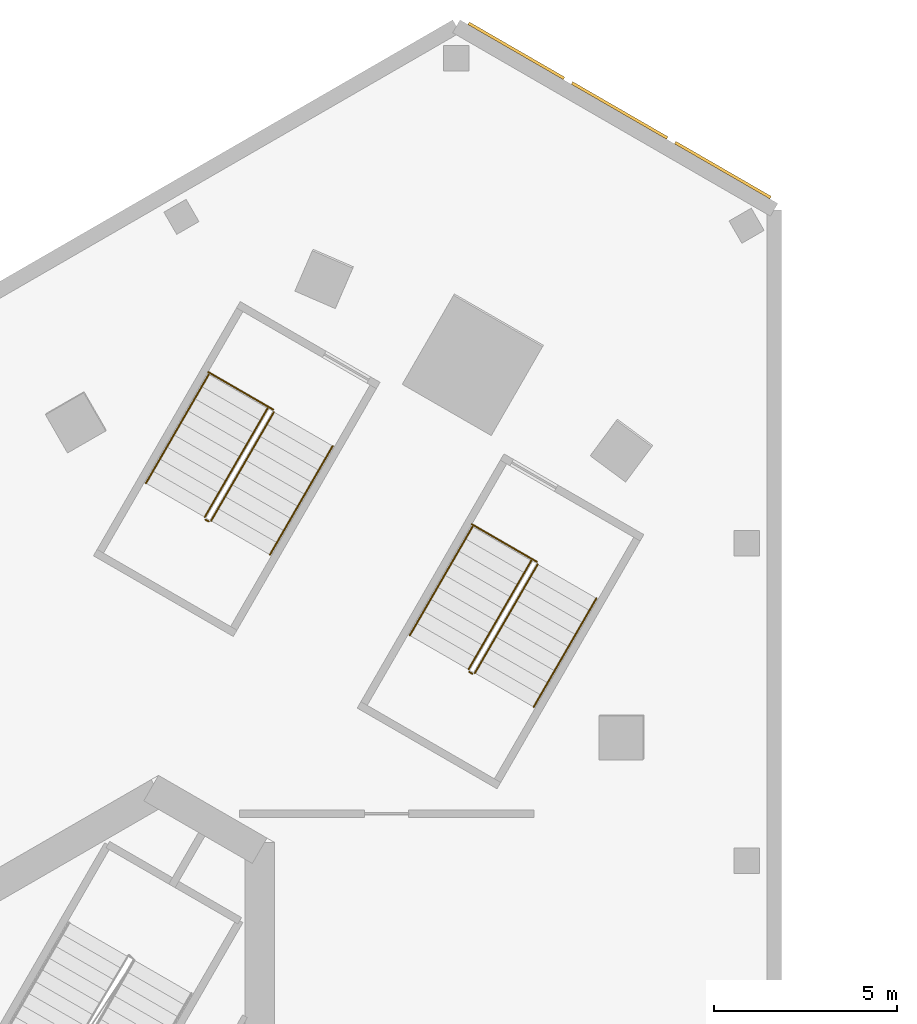
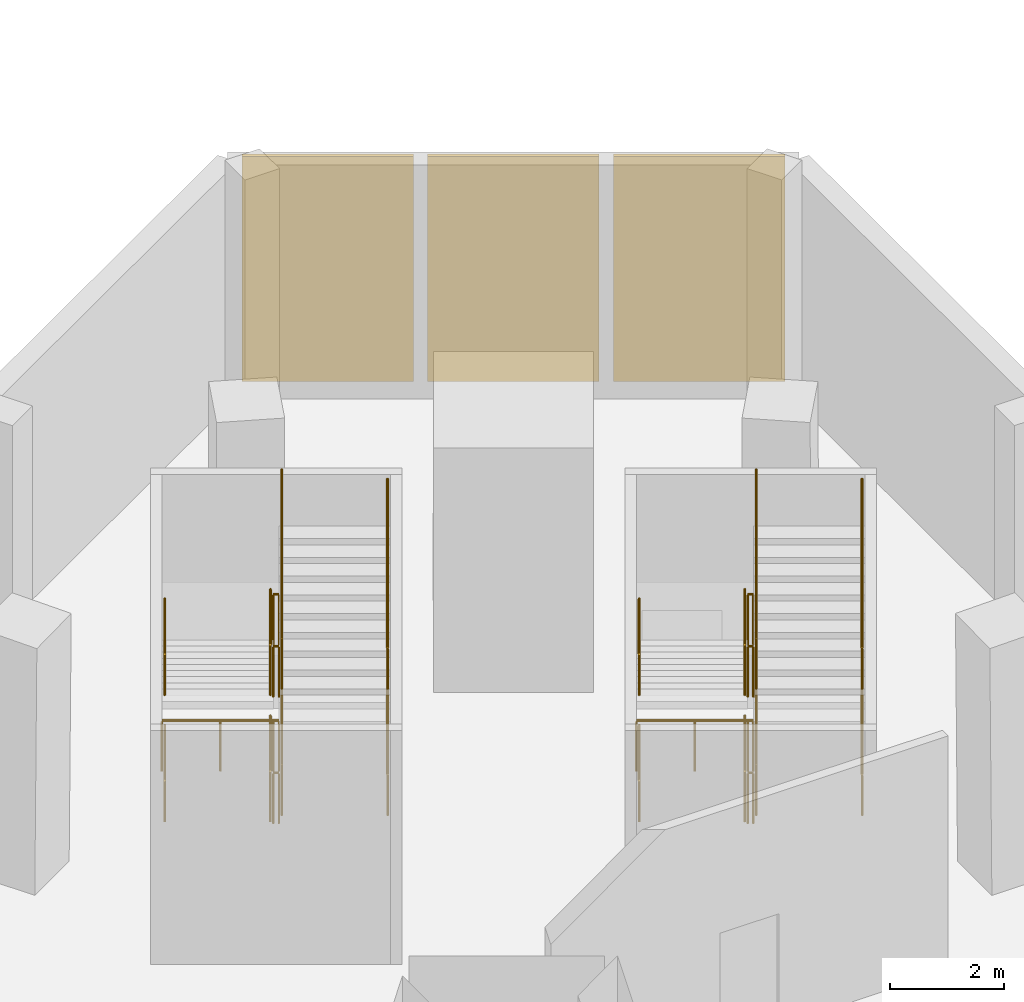
# One storey, part 25 of 35: 26 railings, 3 coverings.
"""IFC4 building model written with IfcOpenShell, lengths in metres."""

from ifc_helpers import new_model, si_unit, direction, frame, origin, origin_2d, place, context, subcontext, project, spatial, rectangle, circle, extrude, material, layer, layer_set, type_object, element, save


model = new_model("IFC4")

# Units and contexts
model_context = context("Model", 3, precision=1e-05, world=origin(), true_north=direction((0.0, 1.0)))
body_context = subcontext(model_context, "Body", "Model", "MODEL_VIEW")
ifc_project = project(units=[si_unit("LENGTHUNIT", "METRE"), si_unit("AREAUNIT", "SQUARE_METRE"), si_unit("VOLUMEUNIT", "CUBIC_METRE"), si_unit("PLANEANGLEUNIT", "RADIAN"), si_unit("MASSUNIT", "GRAM", prefix="KILO")], contexts=[model_context])

# Site, building, storey
site_placement = place(None, origin())
site = spatial("IfcSite", under=ifc_project, at=site_placement, CompositionType="ELEMENT")
building_placement = place(site_placement, origin())
building = spatial("IfcBuilding", under=site, at=building_placement, Name="Jabali Bay Hotel Tower and Convention Centre", CompositionType="ELEMENT")
storey_placement = place(building_placement, frame((0.0, 0.0, 15.0)))
storey = spatial("IfcBuildingStorey", under=building, at=storey_placement, Name="L02", CompositionType="ELEMENT", Elevation=15.0)

# Coverings
ifc_material_1 = material(Name="Precast concrete C40/50", Category="concrete")
ifc_layer = layer(ifc_material_1, 0.080078125)
ifc_layer_set = layer_set([ifc_layer], Name="Precast concrete C40/50")
covering_type = type_object("IfcCoveringType", Name="Relief panel 3000 x 4800", PredefinedType="CLADDING", material=ifc_layer_set)
for number, where, z_axis, x_axis, name in (
    (1, (96.475341796875, 123.6962890625, 0.10009765625), (0.0, 0.0, 1.0), (0.866025402842, -0.500000001632, 0.0), "Relief panel L02"),
    (2, (99.289794921875, 122.0712890625, 0.10009765625), (0.0, 0.0, 1.0), (0.866025402842, -0.500000001632, 0.0), "Relief panel L02"),
    (3, (102.1044921875, 120.4462890625, 0.10009765625), (0.0, 0.0, 1.0), (0.866025402842, -0.500000001632, 0.0), "Relief panel L02"),
):
    element("IfcCovering", number, at=place(storey_placement, frame(where, z_axis=z_axis, x_axis=x_axis)), inside=storey, type_object=covering_type, Name=name, PredefinedType="CLADDING", context=body_context, shape_type="SweptSolid", body=[
        extrude(rectangle(XDim=3.0, YDim=0.080078125, at=origin_2d()), origin(), (0.0, 0.0, 1.0), 4.800048828125),
    ])

# Railings
ifc_material_2 = material(Name="Steel Q355B", Category="steel")
railing_type_1 = type_object("IfcRailingType", Name="Stair guard 1100", PredefinedType="GUARDRAIL", material=ifc_material_2)
railing_1_placement = place(storey_placement, frame((88.073974609375, 114.94482421875, 0.0)))
element("IfcRailing", 4, at=railing_1_placement, inside=storey, type_object=railing_type_1, Name="L02 PS3 top well guard 1", PredefinedType="GUARDRAIL", context=body_context, shape_type="SweptSolid", body=[
    extrude(circle(Radius=0.02392578125, at=origin_2d()), frame((0.0, 0.0, 1.076171875), z_axis=(0.865999163574, -0.500045446624, 0.0), x_axis=(0.500045446624, 0.865999163574, 0.0)), (0.0, 0.0, 1.0), 2.050048828125),
    extrude(circle(Radius=0.02099609375, at=origin_2d()), origin(), (0.0, 0.0, 1.0), 1.052001953125),
    extrude(circle(Radius=0.02099609375, at=origin_2d()), frame((0.8876953125, -0.5126953125, 0.0)), (0.0, 0.0, 1.0), 1.052001953125),
    extrude(circle(Radius=0.02099609375, at=origin_2d()), frame((1.775390625, -1.025146484375, 0.0)), (0.0, 0.0, 1.0), 1.052001953125),
])
railing_2_placement = place(storey_placement, frame((89.6943359375, 113.951416015625, 0.135009765625)))
element("IfcRailing", 5, at=railing_2_placement, inside=storey, type_object=railing_type_1, Name="L02 PS3 stair guard 1", PredefinedType="GUARDRAIL", context=body_context, shape_type="SweptSolid", body=[
    extrude(circle(Radius=0.02392578125, at=origin_2d()), frame((0.0, 0.0, 1.076171875), z_axis=(-0.471153129976, -0.816042064498, 0.334798561949), x_axis=(0.866020337685, -0.500008774639, 0.0)), (0.0, 0.0, 1.0), 3.62939453125),
    extrude(circle(Radius=0.02099609375, at=origin_2d()), origin(), (0.0, 0.0, 1.0), 1.052001953125),
    extrude(circle(Radius=0.02099609375, at=origin_2d()), frame((-0.427490234375, -0.740478515625, 0.3037109375)), (0.0, 0.0, 1.0), 1.052001953125),
    extrude(circle(Radius=0.02099609375, at=origin_2d()), frame((-0.85498046875, -1.48095703125, 0.607421875)), (0.0, 0.0, 1.0), 1.052001953125),
    extrude(circle(Radius=0.02099609375, at=origin_2d()), frame((-1.282470703125, -2.22119140625, 0.911376953125)), (0.0, 0.0, 1.0), 1.052001953125),
    extrude(circle(Radius=0.02099609375, at=origin_2d()), frame((-1.7099609375, -2.961669921875, 1.215087890625)), (0.0, 0.0, 1.0), 1.052001953125),
])
railing_3_placement = place(storey_placement, frame((88.002685546875, 110.92138671875, 1.35009765625)))
element("IfcRailing", 6, at=railing_3_placement, inside=storey, type_object=railing_type_1, Name="L02 PS3 stair guard 2", PredefinedType="GUARDRAIL", context=body_context, shape_type="SweptSolid", body=[
    extrude(circle(Radius=0.02392578125, at=origin_2d()), frame((0.0, 0.0, 1.076171875), z_axis=(0.865982457891, -0.500074377092, 0.0), x_axis=(0.500074377092, 0.865982457891, 0.0)), (0.0, 0.0, 1.0), 0.10009765625),
    extrude(circle(Radius=0.02099609375, at=origin_2d()), origin(), (0.0, 0.0, 1.0), 1.052001953125),
    extrude(circle(Radius=0.02099609375, at=origin_2d()), frame((0.086669921875, -0.050048828125, 0.0)), (0.0, 0.0, 1.0), 1.052001953125),
])
railing_4_placement = place(storey_placement, frame((88.15771484375, 110.8896484375, 1.485107421875)))
element("IfcRailing", 7, at=railing_4_placement, inside=storey, type_object=railing_type_1, Name="L02 PS3 stair guard 3", PredefinedType="GUARDRAIL", context=body_context, shape_type="SweptSolid", body=[
    extrude(circle(Radius=0.02392578125, at=origin_2d()), frame((0.0, 0.0, 1.076171875), z_axis=(0.471163740398, 0.816060441857, 0.334738830985), x_axis=(-0.866020337685, 0.500008774639, 0.0)), (0.0, 0.0, 1.0), 3.629150390625),
    extrude(circle(Radius=0.02099609375, at=origin_2d()), origin(), (0.0, 0.0, 1.0), 1.052001953125),
    extrude(circle(Radius=0.02099609375, at=origin_2d()), frame((0.427490234375, 0.740478515625, 0.3037109375)), (0.0, 0.0, 1.0), 1.052001953125),
    extrude(circle(Radius=0.02099609375, at=origin_2d()), frame((0.85498046875, 1.48095703125, 0.607421875)), (0.0, 0.0, 1.0), 1.052001953125),
    extrude(circle(Radius=0.02099609375, at=origin_2d()), frame((1.282470703125, 2.22119140625, 0.9111328125)), (0.0, 0.0, 1.0), 1.052001953125),
    extrude(circle(Radius=0.02099609375, at=origin_2d()), frame((1.7099609375, 2.961669921875, 1.21484375)), (0.0, 0.0, 1.0), 1.052001953125),
])
railing_5_placement = place(storey_placement, frame((89.7626953125, 113.9697265625, 2.699951171875)))
element("IfcRailing", 8, at=railing_5_placement, inside=storey, type_object=railing_type_1, Name="L02 PS3 stair guard 4", PredefinedType="GUARDRAIL", context=body_context, shape_type="SweptSolid", body=[
    extrude(circle(Radius=0.02392578125, at=origin_2d()), frame((0.0, 0.0, 1.076171875), z_axis=(0.865982457891, -0.500074377092, 0.0), x_axis=(0.500074377092, 0.865982457891, 0.0)), (0.0, 0.0, 1.0), 0.10009765625),
    extrude(circle(Radius=0.02099609375, at=origin_2d()), origin(), (0.0, 0.0, 1.0), 1.052001953125),
    extrude(circle(Radius=0.02099609375, at=origin_2d()), frame((0.086669921875, -0.050048828125, 0.0)), (0.0, 0.0, 1.0), 1.052001953125),
])
railing_6_placement = place(storey_placement, frame((89.6943359375, 113.951416015625, 2.8349609375)))
element("IfcRailing", 9, at=railing_6_placement, inside=storey, type_object=railing_type_1, Name="L02 PS3 stair guard 5", PredefinedType="GUARDRAIL", context=body_context, shape_type="SweptSolid", body=[
    extrude(circle(Radius=0.02392578125, at=origin_2d()), frame((0.0, 0.0, 1.076171875), z_axis=(-0.471153129976, -0.816042064498, 0.334798561949), x_axis=(0.866020337685, -0.500008774639, 0.0)), (0.0, 0.0, 1.0), 3.62939453125),
    extrude(circle(Radius=0.02099609375, at=origin_2d()), origin(), (0.0, 0.0, 1.0), 1.052001953125),
    extrude(circle(Radius=0.02099609375, at=origin_2d()), frame((-0.427490234375, -0.740478515625, 0.3037109375)), (0.0, 0.0, 1.0), 1.052001953125),
    extrude(circle(Radius=0.02099609375, at=origin_2d()), frame((-0.85498046875, -1.48095703125, 0.607421875)), (0.0, 0.0, 1.0), 1.052001953125),
    extrude(circle(Radius=0.02099609375, at=origin_2d()), frame((-1.282470703125, -2.22119140625, 0.911376953125)), (0.0, 0.0, 1.0), 1.052001953125),
    extrude(circle(Radius=0.02099609375, at=origin_2d()), frame((-1.7099609375, -2.961669921875, 1.215087890625)), (0.0, 0.0, 1.0), 1.052001953125),
])
railing_7_placement = place(storey_placement, frame((88.002685546875, 110.92138671875, 4.050048828125)))
element("IfcRailing", 10, at=railing_7_placement, inside=storey, type_object=railing_type_1, Name="L02 PS3 stair guard 6", PredefinedType="GUARDRAIL", context=body_context, shape_type="SweptSolid", body=[
    extrude(circle(Radius=0.02392578125, at=origin_2d()), frame((0.0, 0.0, 1.076171875), z_axis=(0.865982457891, -0.500074377092, 0.0), x_axis=(0.500074377092, 0.865982457891, 0.0)), (0.0, 0.0, 1.0), 0.10009765625),
    extrude(circle(Radius=0.02099609375, at=origin_2d()), origin(), (0.0, 0.0, 1.0), 1.052001953125),
    extrude(circle(Radius=0.02099609375, at=origin_2d()), frame((0.086669921875, -0.050048828125, 0.0)), (0.0, 0.0, 1.0), 1.052001953125),
])
railing_8_placement = place(storey_placement, frame((88.15771484375, 110.8896484375, 4.18505859375)))
element("IfcRailing", 11, at=railing_8_placement, inside=storey, type_object=railing_type_1, Name="L02 PS3 stair guard 7", PredefinedType="GUARDRAIL", context=body_context, shape_type="SweptSolid", body=[
    extrude(circle(Radius=0.02392578125, at=origin_2d()), frame((0.0, 0.0, 1.076171875), z_axis=(0.471163740398, 0.816060441857, 0.334738830985), x_axis=(-0.866020337685, 0.500008774639, 0.0)), (0.0, 0.0, 1.0), 3.629150390625),
    extrude(circle(Radius=0.02099609375, at=origin_2d()), origin(), (0.0, 0.0, 1.0), 1.052001953125),
    extrude(circle(Radius=0.02099609375, at=origin_2d()), frame((0.427490234375, 0.740478515625, 0.3037109375)), (0.0, 0.0, 1.0), 1.052001953125),
    extrude(circle(Radius=0.02099609375, at=origin_2d()), frame((0.85498046875, 1.48095703125, 0.607421875)), (0.0, 0.0, 1.0), 1.052001953125),
    extrude(circle(Radius=0.02099609375, at=origin_2d()), frame((1.282470703125, 2.22119140625, 0.9111328125)), (0.0, 0.0, 1.0), 1.052001953125),
    extrude(circle(Radius=0.02099609375, at=origin_2d()), frame((1.7099609375, 2.961669921875, 1.21484375)), (0.0, 0.0, 1.0), 1.052001953125),
])
railing_9_placement = place(storey_placement, frame((89.7626953125, 113.9697265625, 0.0)))
element("IfcRailing", 12, at=railing_9_placement, inside=storey, type_object=railing_type_1, Name="L02 PS3 stair guard 8", PredefinedType="GUARDRAIL", context=body_context, shape_type="SweptSolid", body=[
    extrude(circle(Radius=0.02392578125, at=origin_2d()), frame((0.0, 0.0, 1.076171875), z_axis=(0.865982457891, -0.500074377092, 0.0), x_axis=(0.500074377092, 0.865982457891, 0.0)), (0.0, 0.0, 1.0), 0.10009765625),
    extrude(circle(Radius=0.02099609375, at=origin_2d()), origin(), (0.0, 0.0, 1.0), 1.052001953125),
    extrude(circle(Radius=0.02099609375, at=origin_2d()), frame((0.086669921875, -0.050048828125, 0.0)), (0.0, 0.0, 1.0), 1.052001953125),
])
railing_10_placement = place(storey_placement, frame((95.261962890625, 110.794677734375, 0.0)))
element("IfcRailing", 13, at=railing_10_placement, inside=storey, type_object=railing_type_1, Name="L02 PS4 top well guard 1", PredefinedType="GUARDRAIL", context=body_context, shape_type="SweptSolid", body=[
    extrude(circle(Radius=0.02392578125, at=origin_2d()), frame((0.0, 0.0, 1.076171875), z_axis=(0.866050731258, -0.499956128963, 0.0), x_axis=(0.499956128963, 0.866050731258, 0.0)), (0.0, 0.0, 1.0), 2.050048828125),
    extrude(circle(Radius=0.02099609375, at=origin_2d()), origin(), (0.0, 0.0, 1.0), 1.052001953125),
    extrude(circle(Radius=0.02099609375, at=origin_2d()), frame((0.8876953125, -0.512451171875, 0.0)), (0.0, 0.0, 1.0), 1.052001953125),
    extrude(circle(Radius=0.02099609375, at=origin_2d()), frame((1.775390625, -1.02490234375, 0.0)), (0.0, 0.0, 1.0), 1.052001953125),
])
railing_11_placement = place(storey_placement, frame((96.88232421875, 109.801513671875, 0.135009765625)))
element("IfcRailing", 14, at=railing_11_placement, inside=storey, type_object=railing_type_1, Name="L02 PS4 stair guard 1", PredefinedType="GUARDRAIL", context=body_context, shape_type="SweptSolid", body=[
    extrude(circle(Radius=0.02392578125, at=origin_2d()), frame((0.0, 0.0, 1.076171875), z_axis=(-0.471127267345, -0.816064535613, 0.33478018412), x_axis=(0.866038183914, -0.499977863513, 0.0)), (0.0, 0.0, 1.0), 3.62939453125),
    extrude(circle(Radius=0.02099609375, at=origin_2d()), origin(), (0.0, 0.0, 1.0), 1.052001953125),
    extrude(circle(Radius=0.02099609375, at=origin_2d()), frame((-0.427490234375, -0.740478515625, 0.3037109375)), (0.0, 0.0, 1.0), 1.052001953125),
    extrude(circle(Radius=0.02099609375, at=origin_2d()), frame((-0.85498046875, -1.48095703125, 0.607421875)), (0.0, 0.0, 1.0), 1.052001953125),
    extrude(circle(Radius=0.02099609375, at=origin_2d()), frame((-1.282470703125, -2.221435546875, 0.911376953125)), (0.0, 0.0, 1.0), 1.052001953125),
    extrude(circle(Radius=0.02099609375, at=origin_2d()), frame((-1.7099609375, -2.9619140625, 1.215087890625)), (0.0, 0.0, 1.0), 1.052001953125),
])
railing_12_placement = place(storey_placement, frame((95.190673828125, 106.771240234375, 1.35009765625)))
element("IfcRailing", 15, at=railing_12_placement, inside=storey, type_object=railing_type_1, Name="L02 PS4 stair guard 2", PredefinedType="GUARDRAIL", context=body_context, shape_type="SweptSolid", body=[
    extrude(circle(Radius=0.02392578125, at=origin_2d()), frame((0.0, 0.0, 1.076171875), z_axis=(0.867038199201, -0.4982416694, 0.0), x_axis=(0.4982416694, 0.867038199201, 0.0)), (0.0, 0.0, 1.0), 0.099853515625),
    extrude(circle(Radius=0.02099609375, at=origin_2d()), origin(), (0.0, 0.0, 1.0), 1.052001953125),
    extrude(circle(Radius=0.02099609375, at=origin_2d()), frame((0.086669921875, -0.0498046875, 0.0)), (0.0, 0.0, 1.0), 1.052001953125),
])
railing_13_placement = place(storey_placement, frame((95.345703125, 106.73974609375, 1.485107421875)))
element("IfcRailing", 16, at=railing_13_placement, inside=storey, type_object=railing_type_1, Name="L02 PS4 stair guard 3", PredefinedType="GUARDRAIL", context=body_context, shape_type="SweptSolid", body=[
    extrude(circle(Radius=0.02392578125, at=origin_2d()), frame((0.0, 0.0, 1.076171875), z_axis=(0.471163740398, 0.816060441857, 0.334738830985), x_axis=(-0.866020337685, 0.500008774639, 0.0)), (0.0, 0.0, 1.0), 3.629150390625),
    extrude(circle(Radius=0.02099609375, at=origin_2d()), origin(), (0.0, 0.0, 1.0), 1.052001953125),
    extrude(circle(Radius=0.02099609375, at=origin_2d()), frame((0.427490234375, 0.740478515625, 0.3037109375)), (0.0, 0.0, 1.0), 1.052001953125),
    extrude(circle(Radius=0.02099609375, at=origin_2d()), frame((0.85498046875, 1.48095703125, 0.607421875)), (0.0, 0.0, 1.0), 1.052001953125),
    extrude(circle(Radius=0.02099609375, at=origin_2d()), frame((1.282470703125, 2.22119140625, 0.9111328125)), (0.0, 0.0, 1.0), 1.052001953125),
    extrude(circle(Radius=0.02099609375, at=origin_2d()), frame((1.7099609375, 2.961669921875, 1.21484375)), (0.0, 0.0, 1.0), 1.052001953125),
])
railing_14_placement = place(storey_placement, frame((96.95068359375, 109.81982421875, 2.699951171875)))
element("IfcRailing", 17, at=railing_14_placement, inside=storey, type_object=railing_type_1, Name="L02 PS4 stair guard 4", PredefinedType="GUARDRAIL", context=body_context, shape_type="SweptSolid", body=[
    extrude(circle(Radius=0.02392578125, at=origin_2d()), frame((0.0, 0.0, 1.076171875), z_axis=(0.865982457891, -0.500074377092, 0.0), x_axis=(0.500074377092, 0.865982457891, 0.0)), (0.0, 0.0, 1.0), 0.10009765625),
    extrude(circle(Radius=0.02099609375, at=origin_2d()), origin(), (0.0, 0.0, 1.0), 1.052001953125),
    extrude(circle(Radius=0.02099609375, at=origin_2d()), frame((0.086669921875, -0.050048828125, 0.0)), (0.0, 0.0, 1.0), 1.052001953125),
])
railing_15_placement = place(storey_placement, frame((96.88232421875, 109.801513671875, 2.8349609375)))
element("IfcRailing", 18, at=railing_15_placement, inside=storey, type_object=railing_type_1, Name="L02 PS4 stair guard 5", PredefinedType="GUARDRAIL", context=body_context, shape_type="SweptSolid", body=[
    extrude(circle(Radius=0.02392578125, at=origin_2d()), frame((0.0, 0.0, 1.076171875), z_axis=(-0.471127267345, -0.816064535613, 0.33478018412), x_axis=(0.866038183914, -0.499977863513, 0.0)), (0.0, 0.0, 1.0), 3.62939453125),
    extrude(circle(Radius=0.02099609375, at=origin_2d()), origin(), (0.0, 0.0, 1.0), 1.052001953125),
    extrude(circle(Radius=0.02099609375, at=origin_2d()), frame((-0.427490234375, -0.740478515625, 0.3037109375)), (0.0, 0.0, 1.0), 1.052001953125),
    extrude(circle(Radius=0.02099609375, at=origin_2d()), frame((-0.85498046875, -1.48095703125, 0.607421875)), (0.0, 0.0, 1.0), 1.052001953125),
    extrude(circle(Radius=0.02099609375, at=origin_2d()), frame((-1.282470703125, -2.221435546875, 0.911376953125)), (0.0, 0.0, 1.0), 1.052001953125),
    extrude(circle(Radius=0.02099609375, at=origin_2d()), frame((-1.7099609375, -2.9619140625, 1.215087890625)), (0.0, 0.0, 1.0), 1.052001953125),
])
railing_16_placement = place(storey_placement, frame((95.190673828125, 106.771240234375, 4.050048828125)))
element("IfcRailing", 19, at=railing_16_placement, inside=storey, type_object=railing_type_1, Name="L02 PS4 stair guard 6", PredefinedType="GUARDRAIL", context=body_context, shape_type="SweptSolid", body=[
    extrude(circle(Radius=0.02392578125, at=origin_2d()), frame((0.0, 0.0, 1.076171875), z_axis=(0.867038199201, -0.4982416694, 0.0), x_axis=(0.4982416694, 0.867038199201, 0.0)), (0.0, 0.0, 1.0), 0.099853515625),
    extrude(circle(Radius=0.02099609375, at=origin_2d()), origin(), (0.0, 0.0, 1.0), 1.052001953125),
    extrude(circle(Radius=0.02099609375, at=origin_2d()), frame((0.086669921875, -0.0498046875, 0.0)), (0.0, 0.0, 1.0), 1.052001953125),
])
railing_17_placement = place(storey_placement, frame((95.345703125, 106.73974609375, 4.18505859375)))
element("IfcRailing", 20, at=railing_17_placement, inside=storey, type_object=railing_type_1, Name="L02 PS4 stair guard 7", PredefinedType="GUARDRAIL", context=body_context, shape_type="SweptSolid", body=[
    extrude(circle(Radius=0.02392578125, at=origin_2d()), frame((0.0, 0.0, 1.076171875), z_axis=(0.471163740398, 0.816060441857, 0.334738830985), x_axis=(-0.866020337685, 0.500008774639, 0.0)), (0.0, 0.0, 1.0), 3.629150390625),
    extrude(circle(Radius=0.02099609375, at=origin_2d()), origin(), (0.0, 0.0, 1.0), 1.052001953125),
    extrude(circle(Radius=0.02099609375, at=origin_2d()), frame((0.427490234375, 0.740478515625, 0.3037109375)), (0.0, 0.0, 1.0), 1.052001953125),
    extrude(circle(Radius=0.02099609375, at=origin_2d()), frame((0.85498046875, 1.48095703125, 0.607421875)), (0.0, 0.0, 1.0), 1.052001953125),
    extrude(circle(Radius=0.02099609375, at=origin_2d()), frame((1.282470703125, 2.22119140625, 0.9111328125)), (0.0, 0.0, 1.0), 1.052001953125),
    extrude(circle(Radius=0.02099609375, at=origin_2d()), frame((1.7099609375, 2.961669921875, 1.21484375)), (0.0, 0.0, 1.0), 1.052001953125),
])
railing_18_placement = place(storey_placement, frame((96.95068359375, 109.81982421875, 0.0)))
element("IfcRailing", 21, at=railing_18_placement, inside=storey, type_object=railing_type_1, Name="L02 PS4 stair guard 8", PredefinedType="GUARDRAIL", context=body_context, shape_type="SweptSolid", body=[
    extrude(circle(Radius=0.02392578125, at=origin_2d()), frame((0.0, 0.0, 1.076171875), z_axis=(0.865982457891, -0.500074377092, 0.0), x_axis=(0.500074377092, 0.865982457891, 0.0)), (0.0, 0.0, 1.0), 0.10009765625),
    extrude(circle(Radius=0.02099609375, at=origin_2d()), origin(), (0.0, 0.0, 1.0), 1.052001953125),
    extrude(circle(Radius=0.02099609375, at=origin_2d()), frame((0.086669921875, -0.050048828125, 0.0)), (0.0, 0.0, 1.0), 1.052001953125),
])
railing_type_2 = type_object("IfcRailingType", Name="Stair handrail 900", PredefinedType="HANDRAIL", material=ifc_material_2)
railing_19_placement = place(storey_placement, frame((88.09228515625, 114.87646484375, 0.135009765625)))
element("IfcRailing", 22, at=railing_19_placement, inside=storey, type_object=railing_type_2, Name="L02 PS3 stair handrail 1", PredefinedType="HANDRAIL", context=body_context, shape_type="SweptSolid", body=[
    extrude(circle(Radius=0.02392578125, at=origin_2d()), frame((0.0, 0.0, 0.8759765625), z_axis=(-0.471127267345, -0.816064535613, 0.33478018412), x_axis=(0.866038183914, -0.499977863513, 0.0)), (0.0, 0.0, 1.0), 3.62939453125),
    extrude(circle(Radius=0.02099609375, at=origin_2d()), origin(), (0.0, 0.0, 1.0), 0.851806640625),
    extrude(circle(Radius=0.02099609375, at=origin_2d()), frame((-0.427490234375, -0.740478515625, 0.3037109375)), (0.0, 0.0, 1.0), 0.851806640625),
    extrude(circle(Radius=0.02099609375, at=origin_2d()), frame((-0.85498046875, -1.48095703125, 0.607421875)), (0.0, 0.0, 1.0), 0.851806640625),
    extrude(circle(Radius=0.02099609375, at=origin_2d()), frame((-1.282470703125, -2.221435546875, 0.911376953125)), (0.0, 0.0, 1.0), 0.851806640625),
    extrude(circle(Radius=0.02099609375, at=origin_2d()), frame((-1.7099609375, -2.9619140625, 1.215087890625)), (0.0, 0.0, 1.0), 0.851806640625),
])
railing_20_placement = place(storey_placement, frame((89.759765625, 109.964599609375, 1.485107421875)))
element("IfcRailing", 23, at=railing_20_placement, inside=storey, type_object=railing_type_2, Name="L02 PS3 stair handrail 2", PredefinedType="HANDRAIL", context=body_context, shape_type="SweptSolid", body=[
    extrude(circle(Radius=0.02392578125, at=origin_2d()), frame((0.0, 0.0, 0.8759765625), z_axis=(0.47113787602, 0.81608291146, 0.334720455607), x_axis=(-0.866038183914, 0.499977863513, 0.0)), (0.0, 0.0, 1.0), 3.62939453125),
    extrude(circle(Radius=0.02099609375, at=origin_2d()), origin(), (0.0, 0.0, 1.0), 0.851806640625),
    extrude(circle(Radius=0.02099609375, at=origin_2d()), frame((0.427490234375, 0.740478515625, 0.3037109375)), (0.0, 0.0, 1.0), 0.851806640625),
    extrude(circle(Radius=0.02099609375, at=origin_2d()), frame((0.85498046875, 1.48095703125, 0.607421875)), (0.0, 0.0, 1.0), 0.851806640625),
    extrude(circle(Radius=0.02099609375, at=origin_2d()), frame((1.282470703125, 2.221435546875, 0.9111328125)), (0.0, 0.0, 1.0), 0.851806640625),
    extrude(circle(Radius=0.02099609375, at=origin_2d()), frame((1.7099609375, 2.9619140625, 1.21484375)), (0.0, 0.0, 1.0), 0.851806640625),
])
railing_21_placement = place(storey_placement, frame((88.09228515625, 114.87646484375, 2.8349609375)))
element("IfcRailing", 24, at=railing_21_placement, inside=storey, type_object=railing_type_2, Name="L02 PS3 stair handrail 3", PredefinedType="HANDRAIL", context=body_context, shape_type="SweptSolid", body=[
    extrude(circle(Radius=0.02392578125, at=origin_2d()), frame((0.0, 0.0, 0.8759765625), z_axis=(-0.471127267345, -0.816064535613, 0.33478018412), x_axis=(0.866038183914, -0.499977863513, 0.0)), (0.0, 0.0, 1.0), 3.62939453125),
    extrude(circle(Radius=0.02099609375, at=origin_2d()), origin(), (0.0, 0.0, 1.0), 0.851806640625),
    extrude(circle(Radius=0.02099609375, at=origin_2d()), frame((-0.427490234375, -0.740478515625, 0.3037109375)), (0.0, 0.0, 1.0), 0.851806640625),
    extrude(circle(Radius=0.02099609375, at=origin_2d()), frame((-0.85498046875, -1.48095703125, 0.607421875)), (0.0, 0.0, 1.0), 0.851806640625),
    extrude(circle(Radius=0.02099609375, at=origin_2d()), frame((-1.282470703125, -2.221435546875, 0.911376953125)), (0.0, 0.0, 1.0), 0.851806640625),
    extrude(circle(Radius=0.02099609375, at=origin_2d()), frame((-1.7099609375, -2.9619140625, 1.215087890625)), (0.0, 0.0, 1.0), 0.851806640625),
])
railing_22_placement = place(storey_placement, frame((89.759765625, 109.964599609375, 4.18505859375)))
element("IfcRailing", 25, at=railing_22_placement, inside=storey, type_object=railing_type_2, Name="L02 PS3 stair handrail 4", PredefinedType="HANDRAIL", context=body_context, shape_type="SweptSolid", body=[
    extrude(circle(Radius=0.02392578125, at=origin_2d()), frame((0.0, 0.0, 0.8759765625), z_axis=(0.47113787602, 0.81608291146, 0.334720455607), x_axis=(-0.866038183914, 0.499977863513, 0.0)), (0.0, 0.0, 1.0), 3.62939453125),
    extrude(circle(Radius=0.02099609375, at=origin_2d()), origin(), (0.0, 0.0, 1.0), 0.851806640625),
    extrude(circle(Radius=0.02099609375, at=origin_2d()), frame((0.427490234375, 0.740478515625, 0.3037109375)), (0.0, 0.0, 1.0), 0.851806640625),
    extrude(circle(Radius=0.02099609375, at=origin_2d()), frame((0.85498046875, 1.48095703125, 0.607421875)), (0.0, 0.0, 1.0), 0.851806640625),
    extrude(circle(Radius=0.02099609375, at=origin_2d()), frame((1.282470703125, 2.221435546875, 0.9111328125)), (0.0, 0.0, 1.0), 0.851806640625),
    extrude(circle(Radius=0.02099609375, at=origin_2d()), frame((1.7099609375, 2.9619140625, 1.21484375)), (0.0, 0.0, 1.0), 0.851806640625),
])
railing_23_placement = place(storey_placement, frame((95.2802734375, 110.726318359375, 0.135009765625)))
element("IfcRailing", 26, at=railing_23_placement, inside=storey, type_object=railing_type_2, Name="L02 PS4 stair handrail 1", PredefinedType="HANDRAIL", context=body_context, shape_type="SweptSolid", body=[
    extrude(circle(Radius=0.02392578125, at=origin_2d()), frame((0.0, 0.0, 0.8759765625), z_axis=(-0.471153129976, -0.816042064498, 0.334798561949), x_axis=(0.866020337685, -0.500008774639, 0.0)), (0.0, 0.0, 1.0), 3.62939453125),
    extrude(circle(Radius=0.02099609375, at=origin_2d()), origin(), (0.0, 0.0, 1.0), 0.851806640625),
    extrude(circle(Radius=0.02099609375, at=origin_2d()), frame((-0.427490234375, -0.740478515625, 0.3037109375)), (0.0, 0.0, 1.0), 0.851806640625),
    extrude(circle(Radius=0.02099609375, at=origin_2d()), frame((-0.85498046875, -1.48095703125, 0.607421875)), (0.0, 0.0, 1.0), 0.851806640625),
    extrude(circle(Radius=0.02099609375, at=origin_2d()), frame((-1.282470703125, -2.22119140625, 0.911376953125)), (0.0, 0.0, 1.0), 0.851806640625),
    extrude(circle(Radius=0.02099609375, at=origin_2d()), frame((-1.7099609375, -2.961669921875, 1.215087890625)), (0.0, 0.0, 1.0), 0.851806640625),
])
railing_24_placement = place(storey_placement, frame((96.94775390625, 105.814697265625, 1.485107421875)))
element("IfcRailing", 27, at=railing_24_placement, inside=storey, type_object=railing_type_2, Name="L02 PS4 stair handrail 2", PredefinedType="HANDRAIL", context=body_context, shape_type="SweptSolid", body=[
    extrude(circle(Radius=0.02392578125, at=origin_2d()), frame((0.0, 0.0, 0.8759765625), z_axis=(0.471163740398, 0.816060441857, 0.334738830985), x_axis=(-0.866020337685, 0.500008774639, 0.0)), (0.0, 0.0, 1.0), 3.629150390625),
    extrude(circle(Radius=0.02099609375, at=origin_2d()), origin(), (0.0, 0.0, 1.0), 0.851806640625),
    extrude(circle(Radius=0.02099609375, at=origin_2d()), frame((0.427490234375, 0.740478515625, 0.3037109375)), (0.0, 0.0, 1.0), 0.851806640625),
    extrude(circle(Radius=0.02099609375, at=origin_2d()), frame((0.85498046875, 1.48095703125, 0.607421875)), (0.0, 0.0, 1.0), 0.851806640625),
    extrude(circle(Radius=0.02099609375, at=origin_2d()), frame((1.282470703125, 2.22119140625, 0.9111328125)), (0.0, 0.0, 1.0), 0.851806640625),
    extrude(circle(Radius=0.02099609375, at=origin_2d()), frame((1.7099609375, 2.961669921875, 1.21484375)), (0.0, 0.0, 1.0), 0.851806640625),
])
railing_25_placement = place(storey_placement, frame((95.2802734375, 110.726318359375, 2.8349609375)))
element("IfcRailing", 28, at=railing_25_placement, inside=storey, type_object=railing_type_2, Name="L02 PS4 stair handrail 3", PredefinedType="HANDRAIL", context=body_context, shape_type="SweptSolid", body=[
    extrude(circle(Radius=0.02392578125, at=origin_2d()), frame((0.0, 0.0, 0.8759765625), z_axis=(-0.471153129976, -0.816042064498, 0.334798561949), x_axis=(0.866020337685, -0.500008774639, 0.0)), (0.0, 0.0, 1.0), 3.62939453125),
    extrude(circle(Radius=0.02099609375, at=origin_2d()), origin(), (0.0, 0.0, 1.0), 0.851806640625),
    extrude(circle(Radius=0.02099609375, at=origin_2d()), frame((-0.427490234375, -0.740478515625, 0.3037109375)), (0.0, 0.0, 1.0), 0.851806640625),
    extrude(circle(Radius=0.02099609375, at=origin_2d()), frame((-0.85498046875, -1.48095703125, 0.607421875)), (0.0, 0.0, 1.0), 0.851806640625),
    extrude(circle(Radius=0.02099609375, at=origin_2d()), frame((-1.282470703125, -2.22119140625, 0.911376953125)), (0.0, 0.0, 1.0), 0.851806640625),
    extrude(circle(Radius=0.02099609375, at=origin_2d()), frame((-1.7099609375, -2.961669921875, 1.215087890625)), (0.0, 0.0, 1.0), 0.851806640625),
])
railing_26_placement = place(storey_placement, frame((96.94775390625, 105.814697265625, 4.18505859375)))
element("IfcRailing", 29, at=railing_26_placement, inside=storey, type_object=railing_type_2, Name="L02 PS4 stair handrail 4", PredefinedType="HANDRAIL", context=body_context, shape_type="SweptSolid", body=[
    extrude(circle(Radius=0.02392578125, at=origin_2d()), frame((0.0, 0.0, 0.8759765625), z_axis=(0.471163740398, 0.816060441857, 0.334738830985), x_axis=(-0.866020337685, 0.500008774639, 0.0)), (0.0, 0.0, 1.0), 3.629150390625),
    extrude(circle(Radius=0.02099609375, at=origin_2d()), origin(), (0.0, 0.0, 1.0), 0.851806640625),
    extrude(circle(Radius=0.02099609375, at=origin_2d()), frame((0.427490234375, 0.740478515625, 0.3037109375)), (0.0, 0.0, 1.0), 0.851806640625),
    extrude(circle(Radius=0.02099609375, at=origin_2d()), frame((0.85498046875, 1.48095703125, 0.607421875)), (0.0, 0.0, 1.0), 0.851806640625),
    extrude(circle(Radius=0.02099609375, at=origin_2d()), frame((1.282470703125, 2.22119140625, 0.9111328125)), (0.0, 0.0, 1.0), 0.851806640625),
    extrude(circle(Radius=0.02099609375, at=origin_2d()), frame((1.7099609375, 2.961669921875, 1.21484375)), (0.0, 0.0, 1.0), 0.851806640625),
])

save(model, "model.ifc")
